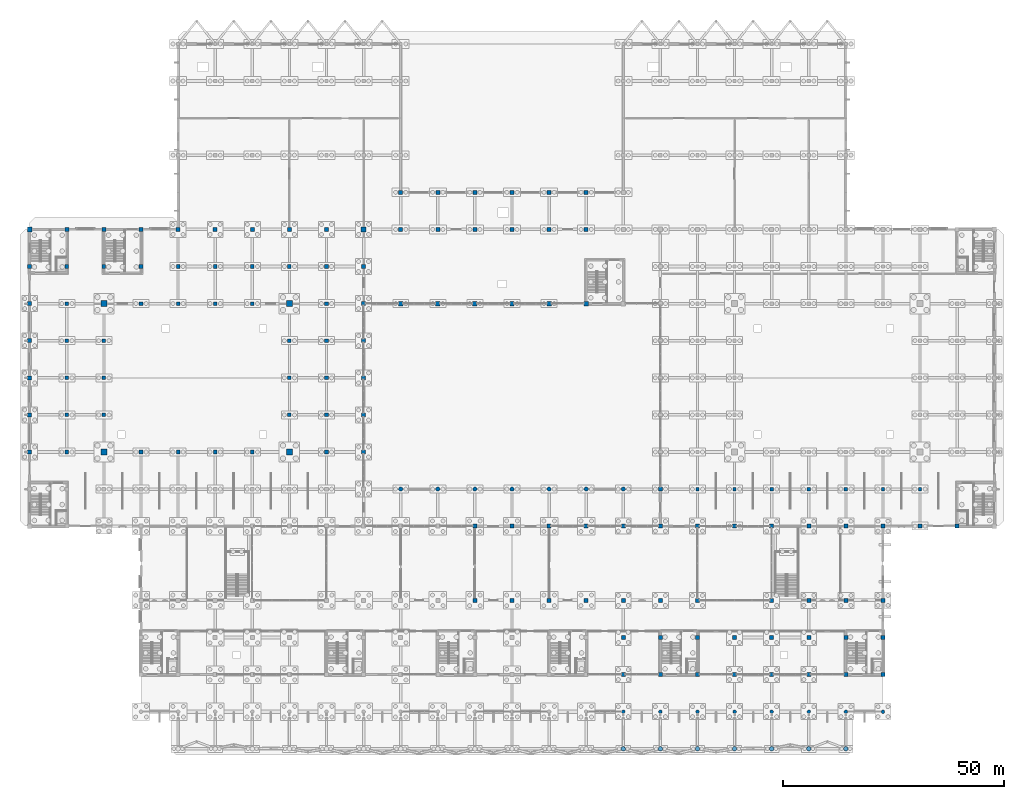
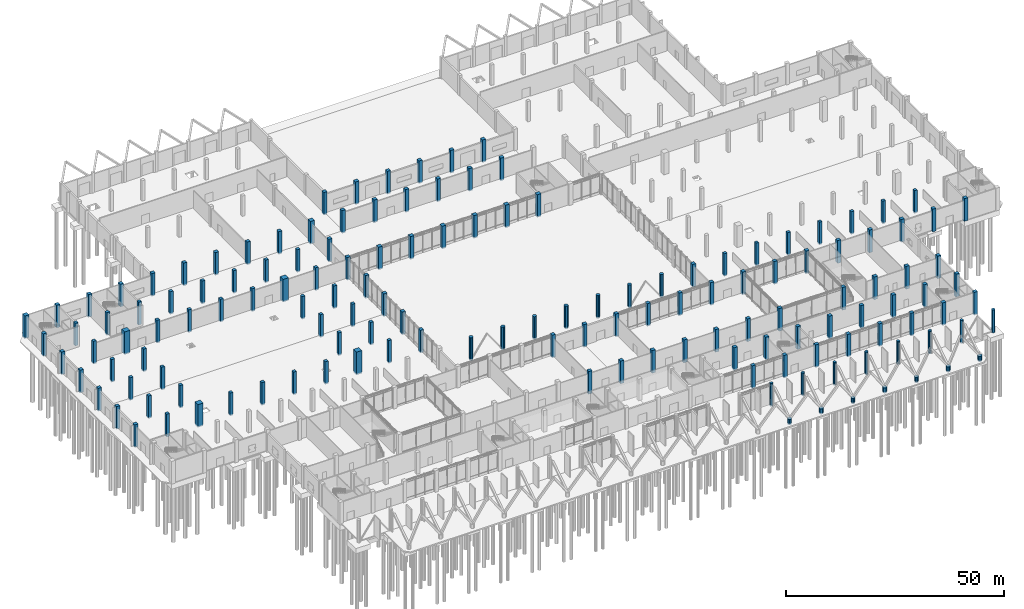
# One storey, part 13 of 72: 147 columns.
"""IFC4 building model written with IfcOpenShell, lengths in metres."""

from ifc_helpers import new_model, si_unit, direction, frame, origin, origin_2d, place, context, subcontext, project, spatial, rectangle, circle, extrude, material, material_profile, profile_set, type_object, element, save


model = new_model("IFC4")

# Units and contexts
model_context = context("Model", 3, precision=1e-05, world=origin(), true_north=direction((0.0, 1.0)))
body_context = subcontext(model_context, "Body", "Model", "MODEL_VIEW")
ifc_project = project(units=[si_unit("LENGTHUNIT", "METRE"), si_unit("AREAUNIT", "SQUARE_METRE"), si_unit("VOLUMEUNIT", "CUBIC_METRE"), si_unit("PLANEANGLEUNIT", "RADIAN"), si_unit("MASSUNIT", "GRAM", prefix="KILO")], contexts=[model_context])

# Site, building, storey
site_placement = place(None, origin())
site = spatial("IfcSite", under=ifc_project, at=site_placement, CompositionType="ELEMENT")
building_placement = place(site_placement, origin())
building = spatial("IfcBuilding", under=site, at=building_placement, Name="Qawsi Khor Wholesale Market", CompositionType="ELEMENT")
storey_placement = place(building_placement, origin())
storey = spatial("IfcBuildingStorey", under=building, at=storey_placement, Name="L00", CompositionType="ELEMENT", Elevation=0.0)

# Columns
ifc_material = material(Name="Concrete C40/50", Category="concrete")
ifc_material_profile_1 = material_profile(ifc_material, circle(Radius=0.39990234375, at=origin_2d()), Name="RC COL D800")
ifc_profile_set_1 = profile_set([ifc_material_profile_1], Name="Concrete C40/50")
column_type_1 = type_object("IfcColumnType", Name="Arcade Pier D800", PredefinedType="COLUMN", material=ifc_profile_set_1)
for number, where, z_axis, x_axis, name in (
    (1, (134.39990234375, 0.0, -0.360107421875), (0.0, 0.0, 1.0), (1.0, 0.0, 0.0), "Arcade Pier D800 L00 (16,0)"),
    (2, (142.800048828125, 0.0, -0.360107421875), (0.0, 0.0, 1.0), (1.0, 0.0, 0.0), "Arcade Pier D800 L00 (17,0)"),
    (3, (151.199951171875, 0.0, -0.360107421875), (0.0, 0.0, 1.0), (1.0, 0.0, 0.0), "Arcade Pier D800 L00 (18,0)"),
    (4, (159.60009765625, 0.0, -0.360107421875), (0.0, 0.0, 1.0), (1.0, 0.0, 0.0), "Arcade Pier D800 L00 (19,0)"),
    (5, (168.0, 0.0, -0.360107421875), (0.0, 0.0, 1.0), (1.0, 0.0, 0.0), "Arcade Pier D800 L00 (20,0)"),
    (6, (176.39990234375, 0.0, -0.360107421875), (0.0, 0.0, 1.0), (1.0, 0.0, 0.0), "Arcade Pier D800 L00 (21,0)"),
    (7, (184.800048828125, 0.0, -0.360107421875), (0.0, 0.0, 1.0), (1.0, 0.0, 0.0), "Arcade Pier D800 L00 (22,0)"),
    (8, (193.199951171875, 0.0, -0.360107421875), (0.0, 0.0, 1.0), (1.0, 0.0, 0.0), "Arcade Pier D800 L00 (23,0)"),
):
    element("IfcColumn", number, at=place(storey_placement, frame(where, z_axis=z_axis, x_axis=x_axis)), inside=storey, type_object=column_type_1, Name=name, PredefinedType="COLUMN", context=body_context, shape_type="SweptSolid", body=[
        extrude(circle(Radius=0.39990234375, at=origin_2d()), origin(), (0.0, 0.0, 1.0), 6.360107421875),
    ])
ifc_material_profile_2 = material_profile(ifc_material, rectangle(XDim=1.0, YDim=1.0, at=origin_2d()), Name="RC 1000x1000")
ifc_profile_set_2 = profile_set([ifc_material_profile_2], Name="Concrete C40/50")
column_type_2 = type_object("IfcColumnType", Name="Column RC 1000x1000", PredefinedType="COLUMN", material=ifc_profile_set_2)
for number, where, z_axis, x_axis, name in (
    (9, (84.0, 92.39990234375, -0.360107421875), (0.0, 0.0, 1.0), (1.0, 0.0, 0.0), "Column RC 1000x1000 L00 (10,11)"),
    (10, (92.39990234375, 92.39990234375, -0.360107421875), (0.0, 0.0, 1.0), (1.0, 0.0, 0.0), "Column RC 1000x1000 L00 (11,11)"),
    (11, (100.800048828125, 92.39990234375, -0.360107421875), (0.0, 0.0, 1.0), (1.0, 0.0, 0.0), "Column RC 1000x1000 L00 (12,11)"),
    (12, (109.199951171875, 92.39990234375, -0.360107421875), (0.0, 0.0, 1.0), (1.0, 0.0, 0.0), "Column RC 1000x1000 L00 (13,11)"),
    (13, (117.60009765625, 92.39990234375, -0.360107421875), (0.0, 0.0, 1.0), (1.0, 0.0, 0.0), "Column RC 1000x1000 L00 (14,11)"),
    (14, (126.0, 92.39990234375, -0.360107421875), (0.0, 0.0, 1.0), (1.0, 0.0, 0.0), "Column RC 1000x1000 L00 (15,11)"),
):
    element("IfcColumn", number, at=place(storey_placement, frame(where, z_axis=z_axis, x_axis=x_axis)), inside=storey, type_object=column_type_2, Name=name, PredefinedType="COLUMN", context=body_context, shape_type="SweptSolid", body=[
        extrude(rectangle(XDim=1.0, YDim=1.0, at=origin_2d()), origin(), (0.0, 0.0, 1.0), 6.360107421875),
    ])
ifc_material_profile_3 = material_profile(ifc_material, rectangle(XDim=1.10009765625, YDim=1.10009765625, at=origin_2d()), Name="RC 1100x1100")
ifc_profile_set_3 = profile_set([ifc_material_profile_3], Name="Concrete C40/50")
column_type_3 = type_object("IfcColumnType", Name="Column RC 1100x1100", PredefinedType="COLUMN", material=ifc_profile_set_3)
for number, where, z_axis, x_axis, name in (
    (15, (0.0, 109.199951171875, -0.360107421875), (0.0, 0.0, 1.0), (1.0, 0.0, 0.0), "Column RC 1100x1100 L00 (0,13)"),
    (16, (75.60009765625, 109.199951171875, -0.360107421875), (0.0, 0.0, 1.0), (1.0, 0.0, 0.0), "Column RC 1100x1100 L00 (9,13)"),
):
    element("IfcColumn", number, at=place(storey_placement, frame(where, z_axis=z_axis, x_axis=x_axis)), inside=storey, type_object=column_type_3, Name=name, PredefinedType="COLUMN", context=body_context, shape_type="SweptSolid", body=[
        extrude(rectangle(XDim=1.10009765625, YDim=1.10009765625, at=origin_2d()), origin(), (0.0, 0.0, 1.0), 6.360107421875),
    ])
ifc_material_profile_4 = material_profile(ifc_material, rectangle(XDim=0.75, YDim=0.75, at=origin_2d()), Name="RC 750x750")
ifc_profile_set_4 = profile_set([ifc_material_profile_4], Name="Concrete C40/50")
column_type_4 = type_object("IfcColumnType", Name="Column RC 750x750", PredefinedType="COLUMN", material=ifc_profile_set_4)
for number, where, z_axis, x_axis, name in (
    (17, (151.199951171875, 50.39990234375, -0.360107421875), (0.0, 0.0, 1.0), (1.0, 0.0, 0.0), "Column RC 750x750 L00 (18,6)"),
    (18, (159.60009765625, 50.39990234375, -0.360107421875), (0.0, 0.0, 1.0), (1.0, 0.0, 0.0), "Column RC 750x750 L00 (19,6)"),
    (19, (168.0, 50.39990234375, -0.360107421875), (0.0, 0.0, 1.0), (1.0, 0.0, 0.0), "Column RC 750x750 L00 (20,6)"),
    (20, (176.39990234375, 50.39990234375, -0.360107421875), (0.0, 0.0, 1.0), (1.0, 0.0, 0.0), "Column RC 750x750 L00 (21,6)"),
    (21, (184.800048828125, 50.39990234375, -0.360107421875), (0.0, 0.0, 1.0), (1.0, 0.0, 0.0), "Column RC 750x750 L00 (22,6)"),
    (22, (193.199951171875, 50.39990234375, -0.360107421875), (0.0, 0.0, 1.0), (1.0, 0.0, 0.0), "Column RC 750x750 L00 (23,6)"),
    (23, (201.60009765625, 50.39990234375, -0.360107421875), (0.0, 0.0, 1.0), (1.0, 0.0, 0.0), "Column RC 750x750 L00 (24,6)"),
):
    element("IfcColumn", number, at=place(storey_placement, frame(where, z_axis=z_axis, x_axis=x_axis)), inside=storey, type_object=column_type_4, Name=name, PredefinedType="COLUMN", context=body_context, shape_type="SweptSolid", body=[
        extrude(rectangle(XDim=0.75, YDim=0.75, at=origin_2d()), origin(), (0.0, 0.0, 1.0), 6.360107421875),
    ])
ifc_material_profile_5 = material_profile(ifc_material, rectangle(XDim=0.800048828125, YDim=0.800048828125, at=origin_2d()), Name="RC 800x800")
ifc_profile_set_5 = profile_set([ifc_material_profile_5], Name="Concrete C40/50")
column_type_5 = type_object("IfcColumnType", Name="Column RC 800x800", PredefinedType="COLUMN", material=ifc_profile_set_5)
for number, where, z_axis, x_axis, name in (
    (24, (8.39990234375, 58.800048828125, -0.360107421875), (0.0, 0.0, 1.0), (1.0, 0.0, 0.0), "Column RC 800x800 L00 (1,7)"),
    (25, (8.39990234375, 67.199951171875, -0.360107421875), (0.0, 0.0, 1.0), (1.0, 0.0, 0.0), "Column RC 800x800 L00 (1,8)"),
    (26, (8.39990234375, 75.60009765625, -0.360107421875), (0.0, 0.0, 1.0), (1.0, 0.0, 0.0), "Column RC 800x800 L00 (1,9)"),
    (27, (8.39990234375, 84.0, -0.360107421875), (0.0, 0.0, 1.0), (1.0, 0.0, 0.0), "Column RC 800x800 L00 (1,10)"),
    (28, (8.39990234375, 92.39990234375, -0.360107421875), (0.0, 0.0, 1.0), (1.0, 0.0, 0.0), "Column RC 800x800 L00 (1,11)"),
    (29, (8.39990234375, 100.800048828125, -0.360107421875), (0.0, 0.0, 1.0), (1.0, 0.0, 0.0), "Column RC 800x800 L00 (1,12)"),
    (30, (16.800048828125, 67.199951171875, -0.360107421875), (0.0, 0.0, 1.0), (1.0, 0.0, 0.0), "Column RC 800x800 L00 (2,8)"),
    (31, (16.800048828125, 75.60009765625, -0.360107421875), (0.0, 0.0, 1.0), (1.0, 0.0, 0.0), "Column RC 800x800 L00 (2,9)"),
    (32, (16.800048828125, 84.0, -0.360107421875), (0.0, 0.0, 1.0), (1.0, 0.0, 0.0), "Column RC 800x800 L00 (2,10)"),
    (33, (16.800048828125, 100.800048828125, -0.360107421875), (0.0, 0.0, 1.0), (1.0, 0.0, 0.0), "Column RC 800x800 L00 (2,12)"),
    (34, (25.199951171875, 58.800048828125, -0.360107421875), (0.0, 0.0, 1.0), (1.0, 0.0, 0.0), "Column RC 800x800 L00 (3,7)"),
    (35, (25.199951171875, 92.39990234375, -0.360107421875), (0.0, 0.0, 1.0), (1.0, 0.0, 0.0), "Column RC 800x800 L00 (3,11)"),
    (36, (25.199951171875, 100.800048828125, -0.360107421875), (0.0, 0.0, 1.0), (1.0, 0.0, 0.0), "Column RC 800x800 L00 (3,12)"),
    (37, (33.60009765625, 58.800048828125, -0.360107421875), (0.0, 0.0, 1.0), (1.0, 0.0, 0.0), "Column RC 800x800 L00 (4,7)"),
    (38, (33.60009765625, 92.39990234375, -0.360107421875), (0.0, 0.0, 1.0), (1.0, 0.0, 0.0), "Column RC 800x800 L00 (4,11)"),
    (39, (33.60009765625, 100.800048828125, -0.360107421875), (0.0, 0.0, 1.0), (1.0, 0.0, 0.0), "Column RC 800x800 L00 (4,12)"),
    (40, (42.0, 58.800048828125, -0.360107421875), (0.0, 0.0, 1.0), (1.0, 0.0, 0.0), "Column RC 800x800 L00 (5,7)"),
    (41, (42.0, 92.39990234375, -0.360107421875), (0.0, 0.0, 1.0), (1.0, 0.0, 0.0), "Column RC 800x800 L00 (5,11)"),
    (42, (42.0, 100.800048828125, -0.360107421875), (0.0, 0.0, 1.0), (1.0, 0.0, 0.0), "Column RC 800x800 L00 (5,12)"),
    (43, (50.39990234375, 58.800048828125, -0.360107421875), (0.0, 0.0, 1.0), (1.0, 0.0, 0.0), "Column RC 800x800 L00 (6,7)"),
    (44, (50.39990234375, 92.39990234375, -0.360107421875), (0.0, 0.0, 1.0), (1.0, 0.0, 0.0), "Column RC 800x800 L00 (6,11)"),
    (45, (50.39990234375, 100.800048828125, -0.360107421875), (0.0, 0.0, 1.0), (1.0, 0.0, 0.0), "Column RC 800x800 L00 (6,12)"),
    (46, (58.800048828125, 67.199951171875, -0.360107421875), (0.0, 0.0, 1.0), (1.0, 0.0, 0.0), "Column RC 800x800 L00 (7,8)"),
    (47, (58.800048828125, 75.60009765625, -0.360107421875), (0.0, 0.0, 1.0), (1.0, 0.0, 0.0), "Column RC 800x800 L00 (7,9)"),
    (48, (58.800048828125, 84.0, -0.360107421875), (0.0, 0.0, 1.0), (1.0, 0.0, 0.0), "Column RC 800x800 L00 (7,10)"),
    (49, (58.800048828125, 100.800048828125, -0.360107421875), (0.0, 0.0, 1.0), (1.0, 0.0, 0.0), "Column RC 800x800 L00 (7,12)"),
    (50, (67.199951171875, 58.800048828125, -0.360107421875), (0.0, 0.0, 1.0), (1.0, 0.0, 0.0), "Column RC 800x800 L00 (8,7)"),
    (51, (67.199951171875, 67.199951171875, -0.360107421875), (0.0, 0.0, 1.0), (1.0, 0.0, 0.0), "Column RC 800x800 L00 (8,8)"),
    (52, (67.199951171875, 75.60009765625, -0.360107421875), (0.0, 0.0, 1.0), (1.0, 0.0, 0.0), "Column RC 800x800 L00 (8,9)"),
    (53, (67.199951171875, 84.0, -0.360107421875), (0.0, 0.0, 1.0), (1.0, 0.0, 0.0), "Column RC 800x800 L00 (8,10)"),
    (54, (67.199951171875, 92.39990234375, -0.360107421875), (0.0, 0.0, 1.0), (1.0, 0.0, 0.0), "Column RC 800x800 L00 (8,11)"),
    (55, (67.199951171875, 100.800048828125, -0.360107421875), (0.0, 0.0, 1.0), (1.0, 0.0, 0.0), "Column RC 800x800 L00 (8,12)"),
):
    element("IfcColumn", number, at=place(storey_placement, frame(where, z_axis=z_axis, x_axis=x_axis)), inside=storey, type_object=column_type_5, Name=name, PredefinedType="COLUMN", context=body_context, shape_type="SweptSolid", body=[
        extrude(rectangle(XDim=0.800048828125, YDim=0.800048828125, at=origin_2d()), origin(), (0.0, 0.0, 1.0), 6.360107421875),
    ])
ifc_material_profile_6 = material_profile(ifc_material, rectangle(XDim=0.89990234375, YDim=0.89990234375, at=origin_2d()), Name="RC 900x900")
ifc_profile_set_6 = profile_set([ifc_material_profile_6], Name="Concrete C40/50")
column_type_6 = type_object("IfcColumnType", Name="Column RC 900x900", PredefinedType="COLUMN", material=ifc_profile_set_6)
for number, where, z_axis, x_axis, name in (
    (56, (0.0, 58.800048828125, -0.360107421875), (0.0, 0.0, 1.0), (1.0, 0.0, 0.0), "Column RC 900x900 L00 (0,7)"),
    (57, (0.0, 67.199951171875, -0.360107421875), (0.0, 0.0, 1.0), (1.0, 0.0, 0.0), "Column RC 900x900 L00 (0,8)"),
    (58, (0.0, 75.60009765625, -0.360107421875), (0.0, 0.0, 1.0), (1.0, 0.0, 0.0), "Column RC 900x900 L00 (0,9)"),
    (59, (0.0, 84.0, -0.360107421875), (0.0, 0.0, 1.0), (1.0, 0.0, 0.0), "Column RC 900x900 L00 (0,10)"),
    (60, (0.0, 92.39990234375, -0.360107421875), (0.0, 0.0, 1.0), (1.0, 0.0, 0.0), "Column RC 900x900 L00 (0,11)"),
    (61, (0.0, 100.800048828125, -0.360107421875), (0.0, 0.0, 1.0), (1.0, 0.0, 0.0), "Column RC 900x900 L00 (0,12)"),
    (62, (8.39990234375, 109.199951171875, -0.360107421875), (0.0, 0.0, 1.0), (1.0, 0.0, 0.0), "Column RC 900x900 L00 (1,13)"),
    (63, (16.800048828125, 109.199951171875, -0.360107421875), (0.0, 0.0, 1.0), (1.0, 0.0, 0.0), "Column RC 900x900 L00 (2,13)"),
    (64, (25.199951171875, 109.199951171875, -0.360107421875), (0.0, 0.0, 1.0), (1.0, 0.0, 0.0), "Column RC 900x900 L00 (3,13)"),
    (65, (33.60009765625, 109.199951171875, -0.360107421875), (0.0, 0.0, 1.0), (1.0, 0.0, 0.0), "Column RC 900x900 L00 (4,13)"),
    (66, (42.0, 109.199951171875, -0.360107421875), (0.0, 0.0, 1.0), (1.0, 0.0, 0.0), "Column RC 900x900 L00 (5,13)"),
    (67, (50.39990234375, 109.199951171875, -0.360107421875), (0.0, 0.0, 1.0), (1.0, 0.0, 0.0), "Column RC 900x900 L00 (6,13)"),
    (68, (58.800048828125, 109.199951171875, -0.360107421875), (0.0, 0.0, 1.0), (1.0, 0.0, 0.0), "Column RC 900x900 L00 (7,13)"),
    (69, (67.199951171875, 109.199951171875, -0.360107421875), (0.0, 0.0, 1.0), (1.0, 0.0, 0.0), "Column RC 900x900 L00 (8,13)"),
    (70, (75.60009765625, 58.800048828125, -0.360107421875), (0.0, 0.0, 1.0), (1.0, 0.0, 0.0), "Column RC 900x900 L00 (9,7)"),
    (71, (75.60009765625, 67.199951171875, -0.360107421875), (0.0, 0.0, 1.0), (1.0, 0.0, 0.0), "Column RC 900x900 L00 (9,8)"),
    (72, (75.60009765625, 75.60009765625, -0.360107421875), (0.0, 0.0, 1.0), (1.0, 0.0, 0.0), "Column RC 900x900 L00 (9,9)"),
    (73, (75.60009765625, 84.0, -0.360107421875), (0.0, 0.0, 1.0), (1.0, 0.0, 0.0), "Column RC 900x900 L00 (9,10)"),
    (74, (75.60009765625, 92.39990234375, -0.360107421875), (0.0, 0.0, 1.0), (1.0, 0.0, 0.0), "Column RC 900x900 L00 (9,11)"),
    (75, (75.60009765625, 100.800048828125, -0.360107421875), (0.0, 0.0, 1.0), (1.0, 0.0, 0.0), "Column RC 900x900 L00 (9,12)"),
    (76, (84.0, 109.199951171875, -0.360107421875), (0.0, 0.0, 1.0), (1.0, 0.0, 0.0), "Column RC 900x900 L00 (10,13)"),
    (77, (84.0, 117.60009765625, -0.360107421875), (0.0, 0.0, 1.0), (1.0, 0.0, 0.0), "Column RC 900x900 L00 (10,14)"),
    (78, (92.39990234375, 109.199951171875, -0.360107421875), (0.0, 0.0, 1.0), (1.0, 0.0, 0.0), "Column RC 900x900 L00 (11,13)"),
    (79, (92.39990234375, 117.60009765625, -0.360107421875), (0.0, 0.0, 1.0), (1.0, 0.0, 0.0), "Column RC 900x900 L00 (11,14)"),
    (80, (100.800048828125, 25.199951171875, -0.360107421875), (0.0, 0.0, 1.0), (1.0, 0.0, 0.0), "Column RC 900x900 L00 (12,3)"),
    (81, (100.800048828125, 42.0, -0.360107421875), (0.0, 0.0, 1.0), (1.0, 0.0, 0.0), "Column RC 900x900 L00 (12,5)"),
    (82, (100.800048828125, 109.199951171875, -0.360107421875), (0.0, 0.0, 1.0), (1.0, 0.0, 0.0), "Column RC 900x900 L00 (12,13)"),
    (83, (100.800048828125, 117.60009765625, -0.360107421875), (0.0, 0.0, 1.0), (1.0, 0.0, 0.0), "Column RC 900x900 L00 (12,14)"),
    (84, (109.199951171875, 25.199951171875, -0.360107421875), (0.0, 0.0, 1.0), (1.0, 0.0, 0.0), "Column RC 900x900 L00 (13,3)"),
    (85, (109.199951171875, 42.0, -0.360107421875), (0.0, 0.0, 1.0), (1.0, 0.0, 0.0), "Column RC 900x900 L00 (13,5)"),
    (86, (109.199951171875, 109.199951171875, -0.360107421875), (0.0, 0.0, 1.0), (1.0, 0.0, 0.0), "Column RC 900x900 L00 (13,13)"),
    (87, (109.199951171875, 117.60009765625, -0.360107421875), (0.0, 0.0, 1.0), (1.0, 0.0, 0.0), "Column RC 900x900 L00 (13,14)"),
    (88, (117.60009765625, 25.199951171875, -0.360107421875), (0.0, 0.0, 1.0), (1.0, 0.0, 0.0), "Column RC 900x900 L00 (14,3)"),
    (89, (117.60009765625, 42.0, -0.360107421875), (0.0, 0.0, 1.0), (1.0, 0.0, 0.0), "Column RC 900x900 L00 (14,5)"),
    (90, (117.60009765625, 109.199951171875, -0.360107421875), (0.0, 0.0, 1.0), (1.0, 0.0, 0.0), "Column RC 900x900 L00 (14,13)"),
    (91, (117.60009765625, 117.60009765625, -0.360107421875), (0.0, 0.0, 1.0), (1.0, 0.0, 0.0), "Column RC 900x900 L00 (14,14)"),
    (92, (126.0, 25.199951171875, -0.360107421875), (0.0, 0.0, 1.0), (1.0, 0.0, 0.0), "Column RC 900x900 L00 (15,3)"),
    (93, (126.0, 42.0, -0.360107421875), (0.0, 0.0, 1.0), (1.0, 0.0, 0.0), "Column RC 900x900 L00 (15,5)"),
    (94, (126.0, 109.199951171875, -0.360107421875), (0.0, 0.0, 1.0), (1.0, 0.0, 0.0), "Column RC 900x900 L00 (15,13)"),
    (95, (126.0, 117.60009765625, -0.360107421875), (0.0, 0.0, 1.0), (1.0, 0.0, 0.0), "Column RC 900x900 L00 (15,14)"),
    (96, (134.39990234375, 8.39990234375, -0.360107421875), (0.0, 0.0, 1.0), (1.0, 0.0, 0.0), "Column RC 900x900 L00 (16,1)"),
    (97, (134.39990234375, 16.800048828125, -0.360107421875), (0.0, 0.0, 1.0), (1.0, 0.0, 0.0), "Column RC 900x900 L00 (16,2)"),
    (98, (134.39990234375, 25.199951171875, -0.360107421875), (0.0, 0.0, 1.0), (1.0, 0.0, 0.0), "Column RC 900x900 L00 (16,3)"),
    (99, (134.39990234375, 42.0, -0.360107421875), (0.0, 0.0, 1.0), (1.0, 0.0, 0.0), "Column RC 900x900 L00 (16,5)"),
    (100, (142.800048828125, 8.39990234375, -0.360107421875), (0.0, 0.0, 1.0), (1.0, 0.0, 0.0), "Column RC 900x900 L00 (17,1)"),
    (101, (142.800048828125, 16.800048828125, -0.360107421875), (0.0, 0.0, 1.0), (1.0, 0.0, 0.0), "Column RC 900x900 L00 (17,2)"),
    (102, (142.800048828125, 25.199951171875, -0.360107421875), (0.0, 0.0, 1.0), (1.0, 0.0, 0.0), "Column RC 900x900 L00 (17,3)"),
    (103, (142.800048828125, 42.0, -0.360107421875), (0.0, 0.0, 1.0), (1.0, 0.0, 0.0), "Column RC 900x900 L00 (17,5)"),
    (104, (142.800048828125, 50.39990234375, -0.360107421875), (0.0, 0.0, 1.0), (1.0, 0.0, 0.0), "Column RC 900x900 L00 (17,6)"),
    (105, (151.199951171875, 8.39990234375, -0.360107421875), (0.0, 0.0, 1.0), (1.0, 0.0, 0.0), "Column RC 900x900 L00 (18,1)"),
    (106, (151.199951171875, 16.800048828125, -0.360107421875), (0.0, 0.0, 1.0), (1.0, 0.0, 0.0), "Column RC 900x900 L00 (18,2)"),
    (107, (151.199951171875, 25.199951171875, -0.360107421875), (0.0, 0.0, 1.0), (1.0, 0.0, 0.0), "Column RC 900x900 L00 (18,3)"),
    (108, (151.199951171875, 42.0, -0.360107421875), (0.0, 0.0, 1.0), (1.0, 0.0, 0.0), "Column RC 900x900 L00 (18,5)"),
    (109, (159.60009765625, 8.39990234375, -0.360107421875), (0.0, 0.0, 1.0), (1.0, 0.0, 0.0), "Column RC 900x900 L00 (19,1)"),
    (110, (159.60009765625, 16.800048828125, -0.360107421875), (0.0, 0.0, 1.0), (1.0, 0.0, 0.0), "Column RC 900x900 L00 (19,2)"),
    (111, (159.60009765625, 42.0, -0.360107421875), (0.0, 0.0, 1.0), (1.0, 0.0, 0.0), "Column RC 900x900 L00 (19,5)"),
    (112, (168.0, 8.39990234375, -0.360107421875), (0.0, 0.0, 1.0), (1.0, 0.0, 0.0), "Column RC 900x900 L00 (20,1)"),
    (113, (168.0, 16.800048828125, -0.360107421875), (0.0, 0.0, 1.0), (1.0, 0.0, 0.0), "Column RC 900x900 L00 (20,2)"),
    (114, (168.0, 25.199951171875, -0.360107421875), (0.0, 0.0, 1.0), (1.0, 0.0, 0.0), "Column RC 900x900 L00 (20,3)"),
    (115, (168.0, 42.0, -0.360107421875), (0.0, 0.0, 1.0), (1.0, 0.0, 0.0), "Column RC 900x900 L00 (20,5)"),
    (116, (176.39990234375, 8.39990234375, -0.360107421875), (0.0, 0.0, 1.0), (1.0, 0.0, 0.0), "Column RC 900x900 L00 (21,1)"),
    (117, (176.39990234375, 16.800048828125, -0.360107421875), (0.0, 0.0, 1.0), (1.0, 0.0, 0.0), "Column RC 900x900 L00 (21,2)"),
    (118, (176.39990234375, 25.199951171875, -0.360107421875), (0.0, 0.0, 1.0), (1.0, 0.0, 0.0), "Column RC 900x900 L00 (21,3)"),
    (119, (176.39990234375, 42.0, -0.360107421875), (0.0, 0.0, 1.0), (1.0, 0.0, 0.0), "Column RC 900x900 L00 (21,5)"),
    (120, (184.800048828125, 8.39990234375, -0.360107421875), (0.0, 0.0, 1.0), (1.0, 0.0, 0.0), "Column RC 900x900 L00 (22,1)"),
    (121, (184.800048828125, 16.800048828125, -0.360107421875), (0.0, 0.0, 1.0), (1.0, 0.0, 0.0), "Column RC 900x900 L00 (22,2)"),
    (122, (184.800048828125, 25.199951171875, -0.360107421875), (0.0, 0.0, 1.0), (1.0, 0.0, 0.0), "Column RC 900x900 L00 (22,3)"),
    (123, (184.800048828125, 42.0, -0.360107421875), (0.0, 0.0, 1.0), (1.0, 0.0, 0.0), "Column RC 900x900 L00 (22,5)"),
    (124, (193.199951171875, 8.39990234375, -0.360107421875), (0.0, 0.0, 1.0), (1.0, 0.0, 0.0), "Column RC 900x900 L00 (23,1)"),
    (125, (193.199951171875, 16.800048828125, -0.360107421875), (0.0, 0.0, 1.0), (1.0, 0.0, 0.0), "Column RC 900x900 L00 (23,2)"),
    (126, (193.199951171875, 25.199951171875, -0.360107421875), (0.0, 0.0, 1.0), (1.0, 0.0, 0.0), "Column RC 900x900 L00 (23,3)"),
    (127, (193.199951171875, 42.0, -0.360107421875), (0.0, 0.0, 1.0), (1.0, 0.0, 0.0), "Column RC 900x900 L00 (23,5)"),
    (128, (201.60009765625, 42.0, -0.360107421875), (0.0, 0.0, 1.0), (1.0, 0.0, 0.0), "Column RC 900x900 L00 (24,5)"),
    (129, (210.0, 42.0, -0.360107421875), (0.0, 0.0, 1.0), (1.0, 0.0, 0.0), "Column RC 900x900 L00 (25,5)"),
):
    element("IfcColumn", number, at=place(storey_placement, frame(where, z_axis=z_axis, x_axis=x_axis)), inside=storey, type_object=column_type_6, Name=name, PredefinedType="COLUMN", context=body_context, shape_type="SweptSolid", body=[
        extrude(rectangle(XDim=0.89990234375, YDim=0.89990234375, at=origin_2d()), origin(), (0.0, 0.0, 1.0), 6.360107421875),
    ])
ifc_material_profile_7 = material_profile(ifc_material, circle(Radius=0.47509765625, at=origin_2d()), Name="RC COL D950")
ifc_profile_set_7 = profile_set([ifc_material_profile_7], Name="Concrete C40/50")
column_type_7 = type_object("IfcColumnType", Name="Court Pier D950", PredefinedType="COLUMN", material=ifc_profile_set_7)
for number, where, z_axis, x_axis, name in (
    (130, (84.0, 50.39990234375, -0.360107421875), (0.0, 0.0, 1.0), (1.0, 0.0, 0.0), "Court Pier D950 L00 (10,6)"),
    (131, (92.39990234375, 50.39990234375, -0.360107421875), (0.0, 0.0, 1.0), (1.0, 0.0, 0.0), "Court Pier D950 L00 (11,6)"),
    (132, (100.800048828125, 50.39990234375, -0.360107421875), (0.0, 0.0, 1.0), (1.0, 0.0, 0.0), "Court Pier D950 L00 (12,6)"),
    (133, (109.199951171875, 50.39990234375, -0.360107421875), (0.0, 0.0, 1.0), (1.0, 0.0, 0.0), "Court Pier D950 L00 (13,6)"),
    (134, (117.60009765625, 50.39990234375, -0.360107421875), (0.0, 0.0, 1.0), (1.0, 0.0, 0.0), "Court Pier D950 L00 (14,6)"),
    (135, (126.0, 50.39990234375, -0.360107421875), (0.0, 0.0, 1.0), (1.0, 0.0, 0.0), "Court Pier D950 L00 (15,6)"),
    (136, (134.39990234375, 50.39990234375, -0.360107421875), (0.0, 0.0, 1.0), (1.0, 0.0, 0.0), "Court Pier D950 L00 (16,6)"),
):
    element("IfcColumn", number, at=place(storey_placement, frame(where, z_axis=z_axis, x_axis=x_axis)), inside=storey, type_object=column_type_7, Name=name, PredefinedType="COLUMN", context=body_context, shape_type="SweptSolid", body=[
        extrude(circle(Radius=0.47509765625, at=origin_2d()), origin(), (0.0, 0.0, 1.0), 6.360107421875),
    ])
ifc_material_profile_8 = material_profile(ifc_material, circle(Radius=0.5, at=origin_2d()), Name="RC COL D1000")
ifc_profile_set_8 = profile_set([ifc_material_profile_8], Name="Concrete C40/50")
column_type_8 = type_object("IfcColumnType", Name="Forecourt Pier D1000", PredefinedType="COLUMN", material=ifc_profile_set_8)
for number, where, z_axis, x_axis, name in (
    (137, (134.39990234375, -8.39990234375, -0.360107421875), (0.0, 0.0, 1.0), (1.0, 0.0, 0.0), "Forecourt Pier D1000 L00 (16,-1)"),
    (138, (142.800048828125, -8.39990234375, -0.360107421875), (0.0, 0.0, 1.0), (1.0, 0.0, 0.0), "Forecourt Pier D1000 L00 (17,-1)"),
    (139, (151.199951171875, -8.39990234375, -0.360107421875), (0.0, 0.0, 1.0), (1.0, 0.0, 0.0), "Forecourt Pier D1000 L00 (18,-1)"),
    (140, (159.60009765625, -8.39990234375, -0.360107421875), (0.0, 0.0, 1.0), (1.0, 0.0, 0.0), "Forecourt Pier D1000 L00 (19,-1)"),
    (141, (168.0, -8.39990234375, -0.360107421875), (0.0, 0.0, 1.0), (1.0, 0.0, 0.0), "Forecourt Pier D1000 L00 (20,-1)"),
    (142, (176.39990234375, -8.39990234375, -0.360107421875), (0.0, 0.0, 1.0), (1.0, 0.0, 0.0), "Forecourt Pier D1000 L00 (21,-1)"),
    (143, (184.800048828125, -8.39990234375, -0.360107421875), (0.0, 0.0, 1.0), (1.0, 0.0, 0.0), "Forecourt Pier D1000 L00 (22,-1)"),
):
    element("IfcColumn", number, at=place(storey_placement, frame(where, z_axis=z_axis, x_axis=x_axis)), inside=storey, type_object=column_type_8, Name=name, PredefinedType="COLUMN", context=body_context, shape_type="SweptSolid", body=[
        extrude(circle(Radius=0.5, at=origin_2d()), origin(), (0.0, 0.0, 1.0), 1.510009765625),
    ])
ifc_material_profile_9 = material_profile(ifc_material, rectangle(XDim=1.39990234375, YDim=1.39990234375, at=origin_2d()), Name="RC 1400x1400")
ifc_profile_set_9 = profile_set([ifc_material_profile_9], Name="Concrete C40/50")
column_type_9 = type_object("IfcColumnType", Name="Hall Mega-Column RC 1400x1400", PredefinedType="COLUMN", material=ifc_profile_set_9)
for number, where, z_axis, x_axis, name in (
    (144, (16.800048828125, 58.800048828125, -0.360107421875), (0.0, 0.0, 1.0), (1.0, 0.0, 0.0), "Hall Mega-Column RC 1400x1400 L00 (2,7)"),
    (145, (16.800048828125, 92.39990234375, -0.360107421875), (0.0, 0.0, 1.0), (1.0, 0.0, 0.0), "Hall Mega-Column RC 1400x1400 L00 (2,11)"),
    (146, (58.800048828125, 58.800048828125, -0.360107421875), (0.0, 0.0, 1.0), (1.0, 0.0, 0.0), "Hall Mega-Column RC 1400x1400 L00 (7,7)"),
    (147, (58.800048828125, 92.39990234375, -0.360107421875), (0.0, 0.0, 1.0), (1.0, 0.0, 0.0), "Hall Mega-Column RC 1400x1400 L00 (7,11)"),
):
    element("IfcColumn", number, at=place(storey_placement, frame(where, z_axis=z_axis, x_axis=x_axis)), inside=storey, type_object=column_type_9, Name=name, PredefinedType="COLUMN", context=body_context, shape_type="SweptSolid", body=[
        extrude(rectangle(XDim=1.39990234375, YDim=1.39990234375, at=origin_2d()), origin(), (0.0, 0.0, 1.0), 6.360107421875),
    ])

save(model, "model.ifc")
